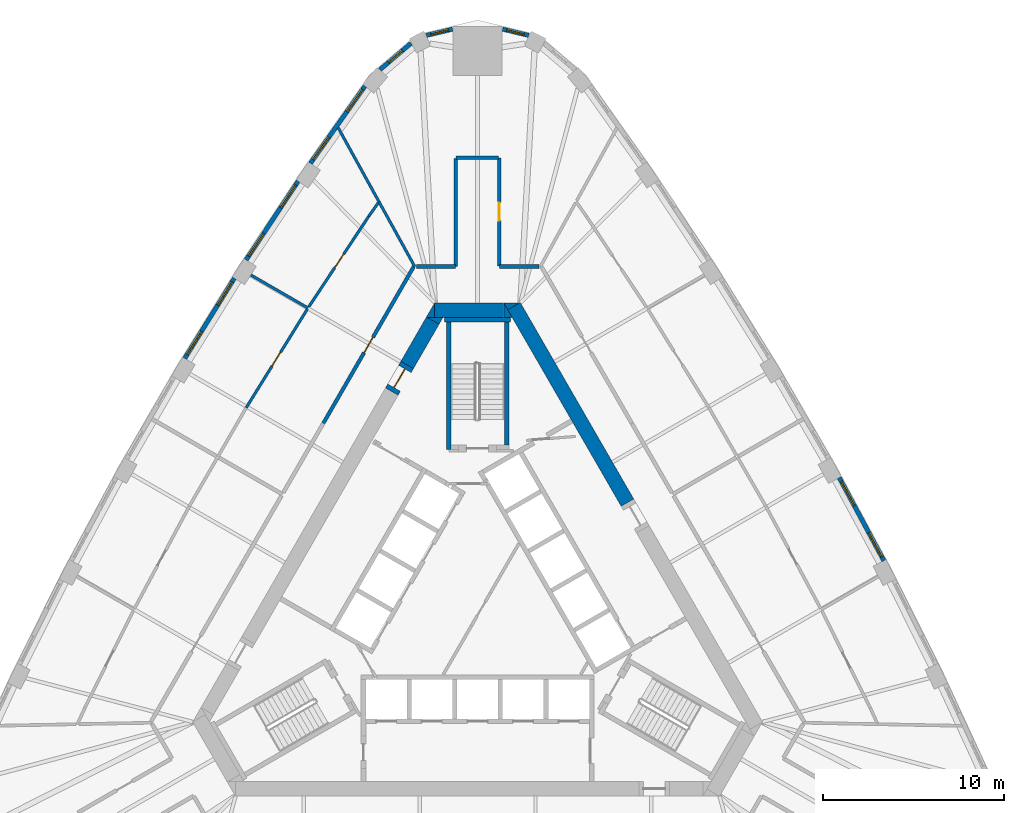
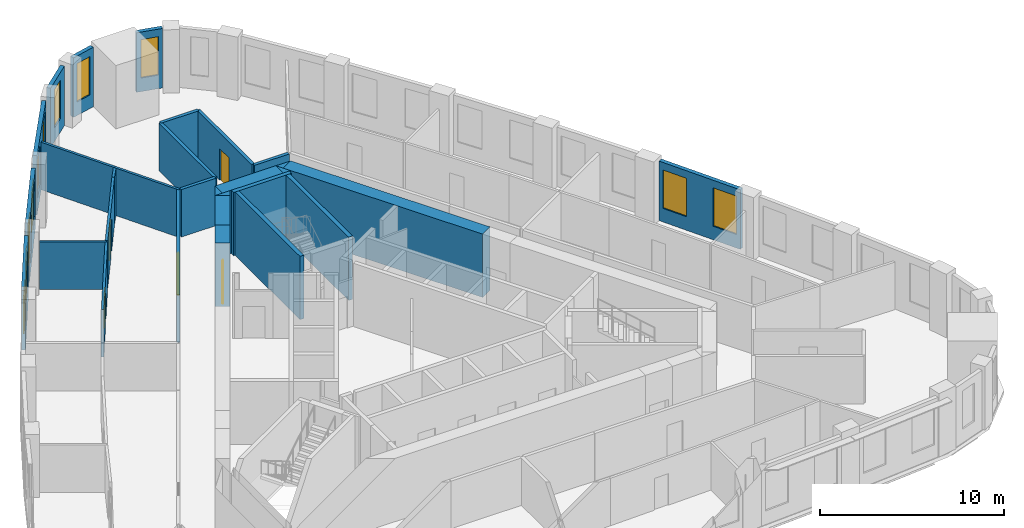
# One storey, part 8 of 10: 30 walls, 11 windows, 5 doors, 16 openings.
"""IFC4 building model written with IfcOpenShell, lengths in metres."""

from ifc_helpers import new_model, si_unit, direction, frame, frame_2d, origin, place, context, subcontext, project, spatial, polyline, rectangle, outline, extrude, material, layer, layer_set, type_object, element, fill, save


model = new_model("IFC4")

# Units and contexts
model_context = context("Model", 3, precision=1e-05, world=origin(), true_north=direction((0.0, 1.0)))
body_context = subcontext(model_context, "Body", "Model", "MODEL_VIEW")
ifc_project = project(units=[si_unit("LENGTHUNIT", "METRE"), si_unit("AREAUNIT", "SQUARE_METRE"), si_unit("VOLUMEUNIT", "CUBIC_METRE"), si_unit("PLANEANGLEUNIT", "RADIAN"), si_unit("MASSUNIT", "GRAM", prefix="KILO")], contexts=[model_context])

# Site, building, storey
site_placement = place(None, origin())
site = spatial("IfcSite", under=ifc_project, at=site_placement, CompositionType="ELEMENT")
building_placement = place(site_placement, origin())
building = spatial("IfcBuilding", under=site, at=building_placement, Name="Mestral Congress Tower", CompositionType="ELEMENT")
storey_placement = place(building_placement, frame((0.0, 0.0, 158.39990234375)))
storey = spatial("IfcBuildingStorey", under=building, at=storey_placement, Name="L37", CompositionType="ELEMENT", Elevation=158.39990234375)

# Walls
ifc_material_1 = material(Name="Concrete C60/75", Category="concrete")
ifc_layer_1 = layer(ifc_material_1, 0.800048828125)
ifc_layer_set_1 = layer_set([ifc_layer_1], Name="Concrete C60/75")
wall_type_1 = type_object("IfcWallType", Name="Core wall RC 800", PredefinedType="SOLIDWALL", material=ifc_layer_set_1)
wall_1_placement = place(storey_placement, frame((8.278564453125, 5.76123046875, 0.0), z_axis=(0.0, 0.0, 1.0), x_axis=(-0.500010359015, 0.866019422922, 0.0)))
element("IfcWall", 1, at=wall_1_placement, inside=storey, type_object=wall_type_1, Name="L37 core wall", PredefinedType="SOLIDWALL", context=body_context, shape_type="SweptSolid", body=[
    extrude(rectangle(XDim=12.527587890625, YDim=0.800048828125, at=frame_2d((6.263671875, 0.0))), origin(), (0.0, 0.0, 1.0), 4.2001953125),
])
placement = place(storey_placement, origin())
element("IfcWall", 2, at=placement, inside=storey, type_object=wall_type_1, Name="L37 core wall", PredefinedType="SOLIDWALL", context=body_context, shape_type="SweptSolid", body=[
    extrude(outline(polyline([(1.443359375, 16.800048828125), (2.33935546875, 16.800048828125), (1.667236328125, 16.412109375), (1.443359375, 16.800048828125)])), origin(), (0.0, 0.0, 1.0), 4.2001953125),
])
wall_3_placement = place(storey_placement, frame((-2.37890625, 16.39990234375, 0.0), z_axis=(0.0, 0.0, 1.0), x_axis=(1.0, 0.0, 0.0)))
element("IfcWall", 3, at=wall_3_placement, inside=storey, type_object=wall_type_1, Name="L37 core wall", PredefinedType="SOLIDWALL", context=body_context, shape_type="SweptSolid", body=[
    extrude(rectangle(XDim=3.82421875, YDim=0.800048828125, at=frame_2d((1.912109375, 0.0))), origin(), (0.0, 0.0, 1.0), 4.2001953125),
])
element("IfcWall", 4, at=placement, inside=storey, type_object=wall_type_1, Name="L37 core wall", PredefinedType="SOLIDWALL", context=body_context, shape_type="SweptSolid", body=[
    extrude(outline(polyline([(1.9052734375, 16.0), (1.447265625, 16.0), (1.447265625, 16.793212890625), (1.9052734375, 16.0)])), origin(), (0.0, 0.0, 1.0), 4.2001953125),
])
element("IfcWall", 5, at=placement, inside=storey, type_object=wall_type_1, Name="L37 core wall", PredefinedType="SOLIDWALL", context=body_context, shape_type="SweptSolid", body=[
    extrude(outline(polyline([(-2.8291015625, 16.0), (-2.381103515625, 16.77587890625), (-2.381103515625, 16.0), (-2.8291015625, 16.0)])), origin(), (0.0, 0.0, 1.0), 4.2001953125),
])
wall_6_placement = place(storey_placement, frame((-2.476806640625, 15.810302734375, 0.0), z_axis=(0.0, 0.0, 1.0), x_axis=(-0.499969377405, -0.866043083026, 0.0)))
element("IfcWall", 6, at=wall_6_placement, inside=storey, type_object=wall_type_1, Name="L37 core wall", PredefinedType="SOLIDWALL", context=body_context, shape_type="SweptSolid", body=[
    extrude(rectangle(XDim=2.824462890625, YDim=0.800048828125, at=frame_2d((1.412109375, 0.0))), origin(), (0.0, 0.0, 1.0), 4.2001953125),
])
element("IfcWall", 7, at=placement, inside=storey, type_object=wall_type_1, Name="L37 core wall", PredefinedType="SOLIDWALL", context=body_context, shape_type="SweptSolid", body=[
    extrude(outline(polyline([(-1.9052734375, 16.0), (-2.12939453125, 15.612060546875), (-2.80126953125, 16.0), (-1.9052734375, 16.0)])), origin(), (0.0, 0.0, 1.0), 4.2001953125),
])

# Wall, opening, door
wall_8_placement = place(storey_placement, frame((-4.739013671875, 11.89208984375, 0.0), z_axis=(0.0, 0.0, 1.0), x_axis=(0.500062241894, 0.865989465428, 0.0)))
wall_8 = element("IfcWall", 8, at=wall_8_placement, inside=storey, type_object=wall_type_1, Name="L37 door wall", PredefinedType="SOLIDWALL", context=body_context, shape_type="SweptSolid", body=[
    extrude(rectangle(XDim=1.699951171875, YDim=0.800048828125, at=frame_2d((0.85009765625, 0.0))), origin(), (0.0, 0.0, 1.0), 4.2001953125),
])
opening_1_placement = place(wall_8_placement, frame((0.25, 0.0, 0.0)))
opening_1 = element("IfcOpeningElement", 9, at=opening_1_placement, cuts=wall_8, Name="Opening XD2", PredefinedType="OPENING", context=body_context, shape_type="SweptSolid", body=[
    extrude(rectangle(XDim=1.199951171875, YDim=2.10009765625, at=frame_2d((0.60009765625, 1.050048828125))), frame((0.0, 0.409912109375, 0.0), z_axis=(0.0, -1.0, 0.0), x_axis=(1.0, 0.0, 0.0)), (0.0, 0.0, 1.0), 0.820068359375),
])
ifc_material_2 = material(Name="Fire-rated steel door set", Category="steel")
door_type_1 = type_object("IfcDoorType", Name="Core door XD 1200x2100", OperationType="SINGLE_SWING_LEFT", PredefinedType="DOOR", material=ifc_material_2)
door_1_placement = place(opening_1_placement, origin())
door_1 = element("IfcDoor", 10, at=door_1_placement, inside=storey, type_object=door_type_1, Name="Door XD2", OperationType="SINGLE_SWING_LEFT", OverallHeight=2.10009765625, OverallWidth=1.199951171875, PredefinedType="DOOR", context=body_context, shape_type="SweptSolid", body=[
    extrude(rectangle(XDim=1.199951171875, YDim=2.10009765625, at=frame_2d((0.60009765625, 1.050048828125))), frame((0.0, 0.02490234375, 0.0), z_axis=(0.0, -1.0, 0.0), x_axis=(1.0, 0.0, 0.0)), (0.0, 0.0, 1.0), 0.050048828125),
])
fill(opening_1, door_1)

# Wall, openings, windows
ifc_material_3 = material(Name="Precast concrete C40/50 with limestone facing", Category="masonry")
ifc_layer_2 = layer(ifc_material_3, 0.239990234375)
ifc_layer_set_2 = layer_set([ifc_layer_2], Name="Precast concrete C40/50 with limestone facing")
wall_type_2 = type_object("IfcWallType", Name="Facade stone wall 240", PredefinedType="SOLIDWALL", material=ifc_layer_set_2)
wall_9_placement = place(storey_placement, frame((22.43994140625, 2.554931640625, 0.0), z_axis=(0.0, 0.0, 1.0), x_axis=(-0.473349833294, 0.880874528704, 0.0)))
wall_9 = element("IfcWall", 11, at=wall_9_placement, inside=storey, type_object=wall_type_2, Name="Facade wall F1-02", PredefinedType="SOLIDWALL", context=body_context, shape_type="SweptSolid", body=[
    extrude(rectangle(XDim=5.20361328125, YDim=0.239990234375, at=frame_2d((2.601806640625, 0.0))), origin(), (0.0, 0.0, 1.0), 3.9501953125),
])
opening_2_placement = place(wall_9_placement, frame((0.248291015625, 0.0, 0.89990234375)))
opening_2 = element("IfcOpeningElement", 12, at=opening_2_placement, cuts=wall_9, Name="Opening W4", PredefinedType="OPENING", context=body_context, shape_type="SweptSolid", body=[
    extrude(rectangle(XDim=1.5, YDim=2.550048828125, at=frame_2d((0.75, 1.27490234375))), frame((0.0, 0.1298828125, 0.0), z_axis=(0.0, -1.0, 0.0), x_axis=(1.0, 0.0, 0.0)), (0.0, 0.0, 1.0), 0.260009765625),
])
opening_3_placement = place(wall_9_placement, frame((3.455078125, 0.0, 0.89990234375)))
opening_3 = element("IfcOpeningElement", 13, at=opening_3_placement, cuts=wall_9, Name="Opening W4", PredefinedType="OPENING", context=body_context, shape_type="SweptSolid", body=[
    extrude(rectangle(XDim=1.5, YDim=2.550048828125, at=frame_2d((0.75, 1.27490234375))), frame((0.0, 0.1298828125, 0.0), z_axis=(0.0, -1.0, 0.0), x_axis=(1.0, 0.0, 0.0)), (0.0, 0.0, 1.0), 0.260009765625),
])
ifc_material_4 = material(Name="Clear low-emissivity double glazing", Category="glass")
window_type_1 = type_object("IfcWindowType", Name="Facade punched window 1500 x 2550 sill 900", PartitioningType="SINGLE_PANEL", PredefinedType="WINDOW", material=ifc_material_4)
window_1_placement = place(opening_2_placement, origin())
window_1 = element("IfcWindow", 14, at=window_1_placement, inside=storey, type_object=window_type_1, Name="Window F1-02a", OverallHeight=2.550048828125, OverallWidth=1.5, PartitioningType="SINGLE_PANEL", PredefinedType="WINDOW", context=body_context, shape_type="SweptSolid", body=[
    extrude(rectangle(XDim=1.5, YDim=2.550048828125, at=frame_2d((0.75, 1.27490234375))), frame((0.0, 0.0400390625, 0.0), z_axis=(0.0, -1.0, 0.0), x_axis=(1.0, 0.0, 0.0)), (0.0, 0.0, 1.0), 0.06005859375),
])
fill(opening_2, window_1)
window_2_placement = place(opening_3_placement, origin())
window_2 = element("IfcWindow", 15, at=window_2_placement, inside=storey, type_object=window_type_1, Name="Window F1-02b", OverallHeight=2.550048828125, OverallWidth=1.5, PartitioningType="SINGLE_PANEL", PredefinedType="WINDOW", context=body_context, shape_type="SweptSolid", body=[
    extrude(rectangle(XDim=1.5, YDim=2.550048828125, at=frame_2d((0.75, 1.27490234375))), frame((0.0, 0.0400390625, 0.0), z_axis=(0.0, -1.0, 0.0), x_axis=(1.0, 0.0, 0.0)), (0.0, 0.0, 1.0), 0.06005859375),
])
fill(opening_3, window_2)

# Wall, opening, window
wall_10_placement = place(storey_placement, frame((2.821044921875, 31.56640625, 0.0), z_axis=(0.0, 0.0, 1.0), x_axis=(-0.972479955788, 0.232986556673, 0.0)))
wall_10 = element("IfcWall", 16, at=wall_10_placement, inside=storey, type_object=wall_type_2, Name="Facade wall K1-1", PredefinedType="SOLIDWALL", context=body_context, shape_type="SweptSolid", body=[
    extrude(rectangle(XDim=1.481689453125, YDim=0.239990234375, at=frame_2d((0.74072265625, 0.0))), origin(), (0.0, 0.0, 1.0), 3.9501953125),
])
opening_4_placement = place(wall_10_placement, frame((0.24072265625, 0.0, 0.89990234375)))
opening_4 = element("IfcOpeningElement", 17, at=opening_4_placement, cuts=wall_10, Name="Opening W5", PredefinedType="OPENING", context=body_context, shape_type="SweptSolid", body=[
    extrude(rectangle(XDim=1.0, YDim=2.550048828125, at=frame_2d((0.5, 1.27490234375))), frame((0.0, 0.1298828125, 0.0), z_axis=(0.0, -1.0, 0.0), x_axis=(1.0, 0.0, 0.0)), (0.0, 0.0, 1.0), 0.260009765625),
])
window_type_2 = type_object("IfcWindowType", Name="Facade punched window 1000 x 2550 sill 900", PartitioningType="SINGLE_PANEL", PredefinedType="WINDOW", material=ifc_material_4)
window_3_placement = place(opening_4_placement, origin())
window_3 = element("IfcWindow", 18, at=window_3_placement, inside=storey, type_object=window_type_2, Name="Window K1-1", OverallHeight=2.550048828125, OverallWidth=1.0, PartitioningType="SINGLE_PANEL", PredefinedType="WINDOW", context=body_context, shape_type="SweptSolid", body=[
    extrude(rectangle(XDim=1.0, YDim=2.550048828125, at=frame_2d((0.5, 1.27490234375))), frame((0.0, 0.0400390625, 0.0), z_axis=(0.0, -1.0, 0.0), x_axis=(1.0, 0.0, 0.0)), (0.0, 0.0, 1.0), 0.06005859375),
])
fill(opening_4, window_3)

wall_11_placement = place(storey_placement, frame((-1.380126953125, 31.91162109375, 0.0), z_axis=(0.0, 0.0, 1.0), x_axis=(-0.972479955788, -0.232986556673, 0.0)))
wall_11 = element("IfcWall", 19, at=wall_11_placement, inside=storey, type_object=wall_type_2, Name="Facade wall K1-2", PredefinedType="SOLIDWALL", context=body_context, shape_type="SweptSolid", body=[
    extrude(rectangle(XDim=1.481689453125, YDim=0.239990234375, at=frame_2d((0.74072265625, 0.0))), origin(), (0.0, 0.0, 1.0), 3.9501953125),
])
opening_5_placement = place(wall_11_placement, frame((0.24072265625, 0.0, 0.89990234375)))
opening_5 = element("IfcOpeningElement", 20, at=opening_5_placement, cuts=wall_11, Name="Opening W5", PredefinedType="OPENING", context=body_context, shape_type="SweptSolid", body=[
    extrude(rectangle(XDim=1.0, YDim=2.550048828125, at=frame_2d((0.5, 1.27490234375))), frame((0.0, 0.1298828125, 0.0), z_axis=(0.0, -1.0, 0.0), x_axis=(1.0, 0.0, 0.0)), (0.0, 0.0, 1.0), 0.260009765625),
])
window_4_placement = place(opening_5_placement, origin())
window_4 = element("IfcWindow", 21, at=window_4_placement, inside=storey, type_object=window_type_2, Name="Window K1-2", OverallHeight=2.550048828125, OverallWidth=1.0, PartitioningType="SINGLE_PANEL", PredefinedType="WINDOW", context=body_context, shape_type="SweptSolid", body=[
    extrude(rectangle(XDim=1.0, YDim=2.550048828125, at=frame_2d((0.5, 1.27490234375))), frame((0.0, 0.0400390625, 0.0), z_axis=(0.0, -1.0, 0.0), x_axis=(1.0, 0.0, 0.0)), (0.0, 0.0, 1.0), 0.06005859375),
])
fill(opening_5, window_4)

wall_12_placement = place(storey_placement, frame((-3.67822265625, 31.130859375, 0.0), z_axis=(0.0, 0.0, 1.0), x_axis=(-0.761419744247, -0.648259186645, 0.0)))
wall_12 = element("IfcWall", 22, at=wall_12_placement, inside=storey, type_object=wall_type_2, Name="Facade wall K1-3", PredefinedType="SOLIDWALL", context=body_context, shape_type="SweptSolid", body=[
    extrude(rectangle(XDim=2.250244140625, YDim=0.239990234375, at=frame_2d((1.125, 0.0))), origin(), (0.0, 0.0, 1.0), 3.9501953125),
])
opening_6_placement = place(wall_12_placement, frame((0.625244140625, 0.0, 0.89990234375)))
opening_6 = element("IfcOpeningElement", 23, at=opening_6_placement, cuts=wall_12, Name="Opening W5", PredefinedType="OPENING", context=body_context, shape_type="SweptSolid", body=[
    extrude(rectangle(XDim=1.0, YDim=2.550048828125, at=frame_2d((0.5, 1.27490234375))), frame((0.0, 0.1298828125, 0.0), z_axis=(0.0, -1.0, 0.0), x_axis=(1.0, 0.0, 0.0)), (0.0, 0.0, 1.0), 0.260009765625),
])
window_5_placement = place(opening_6_placement, origin())
window_5 = element("IfcWindow", 24, at=window_5_placement, inside=storey, type_object=window_type_2, Name="Window K1-3", OverallHeight=2.550048828125, OverallWidth=1.0, PartitioningType="SINGLE_PANEL", PredefinedType="WINDOW", context=body_context, shape_type="SweptSolid", body=[
    extrude(rectangle(XDim=1.0, YDim=2.550048828125, at=frame_2d((0.5, 1.27490234375))), frame((0.0, 0.0400390625, 0.0), z_axis=(0.0, -1.0, 0.0), x_axis=(1.0, 0.0, 0.0)), (0.0, 0.0, 1.0), 0.06005859375),
])
fill(opening_6, window_5)

# Wall, openings, windows
wall_13_placement = place(storey_placement, frame((-6.22265625, 28.76171875, 0.0), z_axis=(0.0, 0.0, 1.0), x_axis=(-0.577115207679, -0.816662743772, 0.0)))
wall_13 = element("IfcWall", 25, at=wall_13_placement, inside=storey, type_object=wall_type_2, Name="Facade wall F2-00", PredefinedType="SOLIDWALL", context=body_context, shape_type="SweptSolid", body=[
    extrude(rectangle(XDim=5.213134765625, YDim=0.239990234375, at=frame_2d((2.6064453125, 0.0))), origin(), (0.0, 0.0, 1.0), 3.9501953125),
])
opening_7_placement = place(wall_13_placement, frame((0.220703125, 0.0, 0.89990234375)))
opening_7 = element("IfcOpeningElement", 26, at=opening_7_placement, cuts=wall_13, Name="Opening W4", PredefinedType="OPENING", context=body_context, shape_type="SweptSolid", body=[
    extrude(rectangle(XDim=1.5, YDim=2.550048828125, at=frame_2d((0.75, 1.27490234375))), frame((0.0, 0.1298828125, 0.0), z_axis=(0.0, -1.0, 0.0), x_axis=(1.0, 0.0, 0.0)), (0.0, 0.0, 1.0), 0.260009765625),
])
opening_8_placement = place(wall_13_placement, frame((3.452392578125, 0.0, 0.89990234375)))
opening_8 = element("IfcOpeningElement", 27, at=opening_8_placement, cuts=wall_13, Name="Opening W4", PredefinedType="OPENING", context=body_context, shape_type="SweptSolid", body=[
    extrude(rectangle(XDim=1.5, YDim=2.550048828125, at=frame_2d((0.75, 1.27490234375))), frame((0.0, 0.1298828125, 0.0), z_axis=(0.0, -1.0, 0.0), x_axis=(1.0, 0.0, 0.0)), (0.0, 0.0, 1.0), 0.260009765625),
])
window_6_placement = place(opening_7_placement, origin())
window_6 = element("IfcWindow", 28, at=window_6_placement, inside=storey, type_object=window_type_1, Name="Window F2-00a", OverallHeight=2.550048828125, OverallWidth=1.5, PartitioningType="SINGLE_PANEL", PredefinedType="WINDOW", context=body_context, shape_type="SweptSolid", body=[
    extrude(rectangle(XDim=1.5, YDim=2.550048828125, at=frame_2d((0.75, 1.27490234375))), frame((0.0, 0.0400390625, 0.0), z_axis=(0.0, -1.0, 0.0), x_axis=(1.0, 0.0, 0.0)), (0.0, 0.0, 1.0), 0.06005859375),
])
fill(opening_7, window_6)
window_7_placement = place(opening_8_placement, origin())
window_7 = element("IfcWindow", 29, at=window_7_placement, inside=storey, type_object=window_type_1, Name="Window F2-00b", OverallHeight=2.550048828125, OverallWidth=1.5, PartitioningType="SINGLE_PANEL", PredefinedType="WINDOW", context=body_context, shape_type="SweptSolid", body=[
    extrude(rectangle(XDim=1.5, YDim=2.550048828125, at=frame_2d((0.75, 1.27490234375))), frame((0.0, 0.0400390625, 0.0), z_axis=(0.0, -1.0, 0.0), x_axis=(1.0, 0.0, 0.0)), (0.0, 0.0, 1.0), 0.06005859375),
])
fill(opening_8, window_7)

wall_14_placement = place(storey_placement, frame((-9.911376953125, 23.510009765625, 0.0), z_axis=(0.0, 0.0, 1.0), x_axis=(-0.551892811511, -0.833915058386, 0.0)))
wall_14 = element("IfcWall", 30, at=wall_14_placement, inside=storey, type_object=wall_type_2, Name="Facade wall F2-01", PredefinedType="SOLIDWALL", context=body_context, shape_type="SweptSolid", body=[
    extrude(rectangle(XDim=5.20361328125, YDim=0.239990234375, at=frame_2d((2.601806640625, 0.0))), origin(), (0.0, 0.0, 1.0), 3.9501953125),
])
opening_9_placement = place(wall_14_placement, frame((0.248291015625, 0.0, 0.89990234375)))
opening_9 = element("IfcOpeningElement", 31, at=opening_9_placement, cuts=wall_14, Name="Opening W4", PredefinedType="OPENING", context=body_context, shape_type="SweptSolid", body=[
    extrude(rectangle(XDim=1.5, YDim=2.550048828125, at=frame_2d((0.75, 1.27490234375))), frame((0.0, 0.1298828125, 0.0), z_axis=(0.0, -1.0, 0.0), x_axis=(1.0, 0.0, 0.0)), (0.0, 0.0, 1.0), 0.260009765625),
])
opening_10_placement = place(wall_14_placement, frame((3.455078125, 0.0, 0.89990234375)))
opening_10 = element("IfcOpeningElement", 32, at=opening_10_placement, cuts=wall_14, Name="Opening W4", PredefinedType="OPENING", context=body_context, shape_type="SweptSolid", body=[
    extrude(rectangle(XDim=1.5, YDim=2.550048828125, at=frame_2d((0.75, 1.27490234375))), frame((0.0, 0.1298828125, 0.0), z_axis=(0.0, -1.0, 0.0), x_axis=(1.0, 0.0, 0.0)), (0.0, 0.0, 1.0), 0.260009765625),
])
window_8_placement = place(opening_9_placement, origin())
window_8 = element("IfcWindow", 33, at=window_8_placement, inside=storey, type_object=window_type_1, Name="Window F2-01a", OverallHeight=2.550048828125, OverallWidth=1.5, PartitioningType="SINGLE_PANEL", PredefinedType="WINDOW", context=body_context, shape_type="SweptSolid", body=[
    extrude(rectangle(XDim=1.5, YDim=2.550048828125, at=frame_2d((0.75, 1.27490234375))), frame((0.0, 0.0400390625, 0.0), z_axis=(0.0, -1.0, 0.0), x_axis=(1.0, 0.0, 0.0)), (0.0, 0.0, 1.0), 0.06005859375),
])
fill(opening_9, window_8)
window_9_placement = place(opening_10_placement, origin())
window_9 = element("IfcWindow", 34, at=window_9_placement, inside=storey, type_object=window_type_1, Name="Window F2-01b", OverallHeight=2.550048828125, OverallWidth=1.5, PartitioningType="SINGLE_PANEL", PredefinedType="WINDOW", context=body_context, shape_type="SweptSolid", body=[
    extrude(rectangle(XDim=1.5, YDim=2.550048828125, at=frame_2d((0.75, 1.27490234375))), frame((0.0, 0.0400390625, 0.0), z_axis=(0.0, -1.0, 0.0), x_axis=(1.0, 0.0, 0.0)), (0.0, 0.0, 1.0), 0.06005859375),
])
fill(opening_10, window_9)

wall_15_placement = place(storey_placement, frame((-13.4326171875, 18.156005859375, 0.0), z_axis=(0.0, 0.0, 1.0), x_axis=(-0.526197926587, -0.850362124072, 0.0)))
wall_15 = element("IfcWall", 35, at=wall_15_placement, inside=storey, type_object=wall_type_2, Name="Facade wall F2-02", PredefinedType="SOLIDWALL", context=body_context, shape_type="SweptSolid", body=[
    extrude(rectangle(XDim=5.203369140625, YDim=0.239990234375, at=frame_2d((2.6015625, 0.0))), origin(), (0.0, 0.0, 1.0), 3.9501953125),
])
opening_11_placement = place(wall_15_placement, frame((0.248291015625, 0.0, 0.89990234375)))
opening_11 = element("IfcOpeningElement", 36, at=opening_11_placement, cuts=wall_15, Name="Opening W4", PredefinedType="OPENING", context=body_context, shape_type="SweptSolid", body=[
    extrude(rectangle(XDim=1.5, YDim=2.550048828125, at=frame_2d((0.75, 1.27490234375))), frame((0.0, 0.1298828125, 0.0), z_axis=(0.0, -1.0, 0.0), x_axis=(1.0, 0.0, 0.0)), (0.0, 0.0, 1.0), 0.260009765625),
])
opening_12_placement = place(wall_15_placement, frame((3.455078125, 0.0, 0.89990234375)))
opening_12 = element("IfcOpeningElement", 37, at=opening_12_placement, cuts=wall_15, Name="Opening W4", PredefinedType="OPENING", context=body_context, shape_type="SweptSolid", body=[
    extrude(rectangle(XDim=1.5, YDim=2.550048828125, at=frame_2d((0.75, 1.27490234375))), frame((0.0, 0.1298828125, 0.0), z_axis=(0.0, -1.0, 0.0), x_axis=(1.0, 0.0, 0.0)), (0.0, 0.0, 1.0), 0.260009765625),
])
window_10_placement = place(opening_11_placement, origin())
window_10 = element("IfcWindow", 38, at=window_10_placement, inside=storey, type_object=window_type_1, Name="Window F2-02a", OverallHeight=2.550048828125, OverallWidth=1.5, PartitioningType="SINGLE_PANEL", PredefinedType="WINDOW", context=body_context, shape_type="SweptSolid", body=[
    extrude(rectangle(XDim=1.5, YDim=2.550048828125, at=frame_2d((0.75, 1.27490234375))), frame((0.0, 0.0400390625, 0.0), z_axis=(0.0, -1.0, 0.0), x_axis=(1.0, 0.0, 0.0)), (0.0, 0.0, 1.0), 0.06005859375),
])
fill(opening_11, window_10)
window_11_placement = place(opening_12_placement, origin())
window_11 = element("IfcWindow", 39, at=window_11_placement, inside=storey, type_object=window_type_1, Name="Window F2-02b", OverallHeight=2.550048828125, OverallWidth=1.5, PartitioningType="SINGLE_PANEL", PredefinedType="WINDOW", context=body_context, shape_type="SweptSolid", body=[
    extrude(rectangle(XDim=1.5, YDim=2.550048828125, at=frame_2d((0.75, 1.27490234375))), frame((0.0, 0.0400390625, 0.0), z_axis=(0.0, -1.0, 0.0), x_axis=(1.0, 0.0, 0.0)), (0.0, 0.0, 1.0), 0.06005859375),
])
fill(opening_12, window_11)

# Walls
ifc_material_5 = material(Name="Plasterboard partition on steel studs", Category="steel")
ifc_layer_3 = layer(ifc_material_5, 0.14990234375)
ifc_layer_set_3 = layer_set([ifc_layer_3], Name="Plasterboard partition on steel studs")
wall_type_3 = type_object("IfcWallType", Name="Office partition 150", PredefinedType="PARTITIONING", material=ifc_layer_set_3)
wall_16_placement = place(storey_placement, frame((-5.44189453125, 22.3740234375, 0.0), z_axis=(0.0, 0.0, 1.0), x_axis=(-0.482987550425, 0.875627218703, 0.0)))
element("IfcWall", 40, at=wall_16_placement, inside=storey, type_object=wall_type_3, Name="Partition", PredefinedType="PARTITIONING", context=body_context, shape_type="SweptSolid", body=[
    extrude(rectangle(XDim=4.672119140625, YDim=0.14990234375, at=frame_2d((2.3359375, 0.0))), origin(), (0.0, 0.0, 1.0), 3.150146484375),
])
wall_17_placement = place(storey_placement, frame((-3.470458984375, 18.800048828125, 0.0), z_axis=(0.0, 0.0, 1.0), x_axis=(-0.482974768035, 0.875634269225, 0.0)))
element("IfcWall", 41, at=wall_17_placement, inside=storey, type_object=wall_type_3, Name="Partition", PredefinedType="PARTITIONING", context=body_context, shape_type="SweptSolid", body=[
    extrude(rectangle(XDim=4.08984375, YDim=0.14990234375, at=frame_2d((2.044921875, 0.0))), origin(), (0.0, 0.0, 1.0), 3.150146484375),
])
wall_18_placement = place(storey_placement, frame((-9.363037109375, 16.5107421875, 0.0), z_axis=(0.0, 0.0, 1.0), x_axis=(-0.866006134298, 0.500033374244, 0.0)))
element("IfcWall", 42, at=wall_18_placement, inside=storey, type_object=wall_type_3, Name="Partition", PredefinedType="PARTITIONING", context=body_context, shape_type="SweptSolid", body=[
    extrude(rectangle(XDim=3.647705078125, YDim=0.14990234375, at=frame_2d((1.82373046875, 0.0))), origin(), (0.0, 0.0, 1.0), 3.150146484375),
])
wall_19_placement = place(storey_placement, frame((-5.4921875, 22.309814453125, 0.0), z_axis=(0.0, 0.0, 1.0), x_axis=(-0.576980663571, -0.816757806124, 0.0)))
element("IfcWall", 43, at=wall_19_placement, inside=storey, type_object=wall_type_3, Name="Partition", PredefinedType="PARTITIONING", context=body_context, shape_type="SweptSolid", body=[
    extrude(rectangle(XDim=0.902099609375, YDim=0.14990234375, at=frame_2d((0.451171875, 0.0))), origin(), (0.0, 0.0, 1.0), 3.150146484375),
])

# Wall, opening, door
wall_20_placement = place(storey_placement, frame((-9.321533203125, 16.573486328125, 0.0), z_axis=(0.0, 0.0, 1.0), x_axis=(0.551906048292, 0.833906298009, 0.0)))
wall_20 = element("IfcWall", 44, at=wall_20_placement, inside=storey, type_object=wall_type_3, Name="Partition", PredefinedType="PARTITIONING", context=body_context, shape_type="SweptSolid", body=[
    extrude(rectangle(XDim=5.995361328125, YDim=0.14990234375, at=frame_2d((2.99755859375, 0.0))), origin(), (0.0, 0.0, 1.0), 3.150146484375),
])
opening_13_placement = place(wall_20_placement, frame((2.595458984375, 0.0, 0.0)))
opening_13 = element("IfcOpeningElement", 45, at=opening_13_placement, cuts=wall_20, Name="Opening O02-012", PredefinedType="OPENING", context=body_context, shape_type="SweptSolid", body=[
    extrude(rectangle(XDim=0.89990234375, YDim=2.10009765625, at=frame_2d((0.449951171875, 1.050048828125))), frame((0.0, 0.0849609375, 0.0), z_axis=(0.0, -1.0, 0.0), x_axis=(1.0, 0.0, 0.0)), (0.0, 0.0, 1.0), 0.169921875),
])
ifc_material_6 = material(Name="Timber door set", Category="wood")
door_type_2 = type_object("IfcDoorType", Name="Office door 900x2100", OperationType="SINGLE_SWING_LEFT", PredefinedType="DOOR", material=ifc_material_6)
door_2_placement = place(opening_13_placement, origin())
door_2 = element("IfcDoor", 46, at=door_2_placement, inside=storey, type_object=door_type_2, Name="Door O02-012", OperationType="SINGLE_SWING_RIGHT", OverallHeight=2.10009765625, OverallWidth=0.89990234375, PredefinedType="DOOR", context=body_context, shape_type="SweptSolid", body=[
    extrude(rectangle(XDim=0.89990234375, YDim=2.10009765625, at=frame_2d((0.449951171875, 1.050048828125))), frame((0.0, 0.02490234375, 0.0), z_axis=(0.0, -1.0, 0.0), x_axis=(1.0, 0.0, 0.0)), (0.0, 0.0, 1.0), 0.050048828125),
])
fill(opening_13, door_2)

wall_21_placement = place(storey_placement, frame((-12.779296875, 11.001953125, 0.0), z_axis=(0.0, 0.0, 1.0), x_axis=(0.527026092571, 0.849849102929, 0.0)))
wall_21 = element("IfcWall", 47, at=wall_21_placement, inside=storey, type_object=wall_type_3, Name="Partition", PredefinedType="PARTITIONING", context=body_context, shape_type="SweptSolid", body=[
    extrude(rectangle(XDim=6.406982421875, YDim=0.14990234375, at=frame_2d((3.20361328125, 0.0))), origin(), (0.0, 0.0, 1.0), 3.150146484375),
])
opening_14_placement = place(wall_21_placement, frame((2.707275390625, 0.0, 0.0)))
opening_14 = element("IfcOpeningElement", 48, at=opening_14_placement, cuts=wall_21, Name="Opening O02-013", PredefinedType="OPENING", context=body_context, shape_type="SweptSolid", body=[
    extrude(rectangle(XDim=0.89990234375, YDim=2.10009765625, at=frame_2d((0.449951171875, 1.050048828125))), frame((0.0, 0.0849609375, 0.0), z_axis=(0.0, -1.0, 0.0), x_axis=(1.0, 0.0, 0.0)), (0.0, 0.0, 1.0), 0.169921875),
])
door_3_placement = place(opening_14_placement, origin())
door_3 = element("IfcDoor", 49, at=door_3_placement, inside=storey, type_object=door_type_2, Name="Door O02-013", OperationType="SINGLE_SWING_LEFT", OverallHeight=2.10009765625, OverallWidth=0.89990234375, PredefinedType="DOOR", context=body_context, shape_type="SweptSolid", body=[
    extrude(rectangle(XDim=0.89990234375, YDim=2.10009765625, at=frame_2d((0.449951171875, 1.050048828125))), frame((0.0, 0.02490234375, 0.0), z_axis=(0.0, -1.0, 0.0), x_axis=(1.0, 0.0, 0.0)), (0.0, 0.0, 1.0), 0.050048828125),
])
fill(opening_14, door_3)

# Wall
ifc_material_7 = material(Name="Dense masonry wall, plastered", Category="masonry")
ifc_layer_4 = layer(ifc_material_7, 0.199951171875)
ifc_layer_set_4 = layer_set([ifc_layer_4], Name="Dense masonry wall, plastered")
wall_type_4 = type_object("IfcWallType", Name="Office tenancy wall 200", PredefinedType="PARTITIONING", material=ifc_layer_set_4)
wall_22_placement = place(storey_placement, frame((3.384765625, 18.800048828125, 0.0), z_axis=(0.0, 0.0, 1.0), x_axis=(-1.0, 0.0, 0.0)))
element("IfcWall", 50, at=wall_22_placement, inside=storey, type_object=wall_type_4, Name="Tenancy wall", PredefinedType="PARTITIONING", context=body_context, shape_type="SweptSolid", body=[
    extrude(rectangle(XDim=2.184814453125, YDim=0.199951171875, at=frame_2d((1.09228515625, 0.0))), origin(), (0.0, 0.0, 1.0), 3.150146484375),
])

# Wall, opening, door
wall_23_placement = place(storey_placement, frame((1.199951171875, 18.830078125, 0.0), z_axis=(0.0, 0.0, 1.0), x_axis=(0.0, 1.0, 0.0)))
wall_23 = element("IfcWall", 51, at=wall_23_placement, inside=storey, type_object=wall_type_4, Name="Tenancy wall", PredefinedType="PARTITIONING", context=body_context, shape_type="SweptSolid", body=[
    extrude(rectangle(XDim=5.969970703125, YDim=0.199951171875, at=frame_2d((2.98486328125, 0.0))), origin(), (0.0, 0.0, 1.0), 3.150146484375),
])
opening_15_placement = place(wall_23_placement, frame((2.5, 0.0, 0.0)))
opening_15 = element("IfcOpeningElement", 52, at=opening_15_placement, cuts=wall_23, Name="Opening O02-011", PredefinedType="OPENING", context=body_context, shape_type="SweptSolid", body=[
    extrude(rectangle(XDim=1.0, YDim=2.10009765625, at=frame_2d((0.5, 1.050048828125))), frame((0.0, 0.10986328125, 0.0), z_axis=(0.0, -1.0, 0.0), x_axis=(1.0, 0.0, 0.0)), (0.0, 0.0, 1.0), 0.219970703125),
])
ifc_material_8 = material(Name="Fire-rated timber door set", Category="wood")
door_type_3 = type_object("IfcDoorType", Name="Office tenancy entrance door 1000x2100", OperationType="SINGLE_SWING_LEFT", PredefinedType="DOOR", material=ifc_material_8)
door_4_placement = place(opening_15_placement, origin())
door_4 = element("IfcDoor", 53, at=door_4_placement, inside=storey, type_object=door_type_3, Name="Door O02-011", OperationType="SINGLE_SWING_RIGHT", OverallHeight=2.10009765625, OverallWidth=1.0, PredefinedType="DOOR", context=body_context, shape_type="SweptSolid", body=[
    extrude(rectangle(XDim=1.0, YDim=2.10009765625, at=frame_2d((0.5, 1.050048828125))), frame((0.0, 0.02490234375, 0.0), z_axis=(0.0, -1.0, 0.0), x_axis=(1.0, 0.0, 0.0)), (0.0, 0.0, 1.0), 0.050048828125),
])
fill(opening_15, door_4)

# Walls
wall_24_placement = place(storey_placement, frame((1.169921875, 24.800048828125, 0.0), z_axis=(0.0, 0.0, 1.0), x_axis=(-1.0, 0.0, 0.0)))
element("IfcWall", 54, at=wall_24_placement, inside=storey, type_object=wall_type_4, Name="Tenancy wall", PredefinedType="PARTITIONING", context=body_context, shape_type="SweptSolid", body=[
    extrude(rectangle(XDim=2.369873046875, YDim=0.199951171875, at=frame_2d((1.18505859375, 0.0))), origin(), (0.0, 0.0, 1.0), 3.150146484375),
])
wall_25_placement = place(storey_placement, frame((-1.199951171875, 24.77001953125, 0.0), z_axis=(0.0, 0.0, 1.0), x_axis=(0.0, -1.0, 0.0)))
element("IfcWall", 55, at=wall_25_placement, inside=storey, type_object=wall_type_4, Name="Tenancy wall", PredefinedType="PARTITIONING", context=body_context, shape_type="SweptSolid", body=[
    extrude(rectangle(XDim=5.969970703125, YDim=0.199951171875, at=frame_2d((2.98486328125, 0.0))), origin(), (0.0, 0.0, 1.0), 3.150146484375),
])
wall_26_placement = place(storey_placement, frame((-1.22998046875, 18.800048828125, 0.0), z_axis=(0.0, 0.0, 1.0), x_axis=(-1.0, 0.0, 0.0)))
element("IfcWall", 56, at=wall_26_placement, inside=storey, type_object=wall_type_4, Name="Tenancy wall", PredefinedType="PARTITIONING", context=body_context, shape_type="SweptSolid", body=[
    extrude(rectangle(XDim=2.15478515625, YDim=0.199951171875, at=frame_2d((1.077392578125, 0.0))), origin(), (0.0, 0.0, 1.0), 3.150146484375),
])

# Wall, opening, door
wall_27_placement = place(storey_placement, frame((-3.521728515625, 18.800048828125, 0.0), z_axis=(0.0, 0.0, 1.0), x_axis=(-0.500015783377, -0.866016291056, 0.0)))
wall_27 = element("IfcWall", 57, at=wall_27_placement, inside=storey, type_object=wall_type_4, Name="Tenancy wall", PredefinedType="PARTITIONING", context=body_context, shape_type="SweptSolid", body=[
    extrude(rectangle(XDim=9.990478515625, YDim=0.199951171875, at=frame_2d((4.9951171875, 0.0))), origin(), (0.0, 0.0, 1.0), 3.150146484375),
])
opening_16_placement = place(wall_27_placement, frame((4.5, 0.0, 0.0)))
opening_16 = element("IfcOpeningElement", 58, at=opening_16_placement, cuts=wall_27, Name="Opening O02-014", PredefinedType="OPENING", context=body_context, shape_type="SweptSolid", body=[
    extrude(rectangle(XDim=1.0, YDim=2.10009765625, at=frame_2d((0.5, 1.050048828125))), frame((0.0, 0.10986328125, 0.0), z_axis=(0.0, -1.0, 0.0), x_axis=(1.0, 0.0, 0.0)), (0.0, 0.0, 1.0), 0.219970703125),
])
door_5_placement = place(opening_16_placement, origin())
door_5 = element("IfcDoor", 59, at=door_5_placement, inside=storey, type_object=door_type_3, Name="Door O02-014", OperationType="SINGLE_SWING_RIGHT", OverallHeight=2.10009765625, OverallWidth=1.0, PredefinedType="DOOR", context=body_context, shape_type="SweptSolid", body=[
    extrude(rectangle(XDim=1.0, YDim=2.10009765625, at=frame_2d((0.5, 1.050048828125))), frame((0.0, 0.02490234375, 0.0), z_axis=(0.0, -1.0, 0.0), x_axis=(1.0, 0.0, 0.0)), (0.0, 0.0, 1.0), 0.050048828125),
])
fill(opening_16, door_5)

# Walls
ifc_layer_5 = layer(ifc_material_1, 0.25)
ifc_layer_set_5 = layer_set([ifc_layer_5], Name="Concrete C60/75")
wall_type_5 = type_object("IfcWallType", Name="Stair wall RC 250", PredefinedType="SOLIDWALL", material=ifc_layer_set_5)
wall_28_placement = place(storey_placement, frame((-1.81689453125, 15.875, 0.0), z_axis=(0.0, 0.0, 1.0), x_axis=(1.0, 0.0, 0.0)))
element("IfcWall", 60, at=wall_28_placement, inside=storey, type_object=wall_type_5, Name="L37 core wall", PredefinedType="SOLIDWALL", context=body_context, shape_type="SweptSolid", body=[
    extrude(rectangle(XDim=3.6337890625, YDim=0.25, at=frame_2d((1.81689453125, 0.0))), origin(), (0.0, 0.0, 1.0), 4.2001953125),
])
wall_29_placement = place(storey_placement, frame((1.60009765625, 8.949951171875, 0.0), z_axis=(0.0, 0.0, 1.0), x_axis=(0.0, 1.0, 0.0)))
element("IfcWall", 61, at=wall_29_placement, inside=storey, type_object=wall_type_5, Name="L37 core wall", PredefinedType="SOLIDWALL", context=body_context, shape_type="SweptSolid", body=[
    extrude(rectangle(XDim=6.800048828125, YDim=0.25, at=frame_2d((3.39990234375, 0.0))), origin(), (0.0, 0.0, 1.0), 4.2001953125),
])
wall_30_placement = place(storey_placement, frame((-1.60009765625, 8.699951171875, 0.0), z_axis=(0.0, 0.0, 1.0), x_axis=(0.0, 1.0, 0.0)))
element("IfcWall", 62, at=wall_30_placement, inside=storey, type_object=wall_type_5, Name="L37 core wall", PredefinedType="SOLIDWALL", context=body_context, shape_type="SweptSolid", body=[
    extrude(rectangle(XDim=7.050048828125, YDim=0.25, at=frame_2d((3.52490234375, 0.0))), origin(), (0.0, 0.0, 1.0), 4.2001953125),
])

save(model, "model.ifc")
